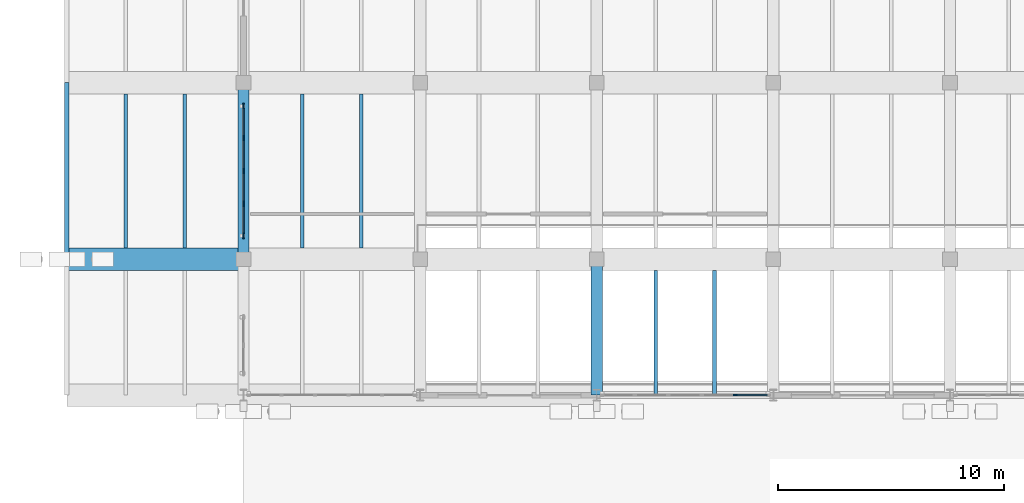
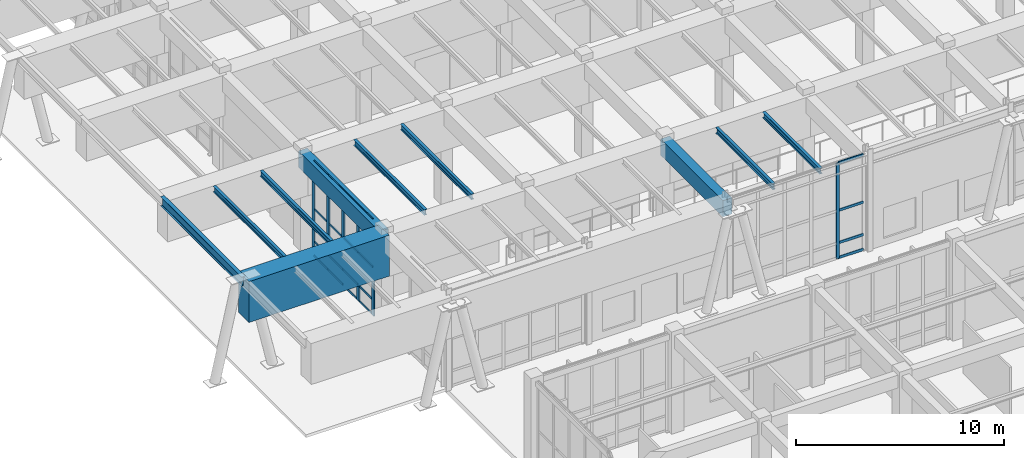
# One storey, part 21 of 110: 26 members, 10 beams, 2 elements without a shape of their own.
"""IFC4 building model written with IfcOpenShell, lengths in metres."""

import ifcopenshell
import ifcopenshell.guid

model = None  # the IFC model being written
_history = None  # IfcOwnerHistory: only IFC2X3 demands one
_inside = {}  # id of a spatial element -> (the spatial element, [elements in it])
_under = {}  # id of a project, library or spatial element -> (it, [spatial elements below it])
_declared = {}  # id of a project -> (the project, [libraries it declares])
_typed = {}  # id of a type object -> (the type object, [elements of that type])
_made_of = {}  # id of a material, layer set ... -> (it, [elements and type objects made of it])


def new_model(schema):
    """Start an empty IFC model of exactly this schema.

    Asked for "IFC4X3", IfcOpenShell would pick the latest addendum, in which some entities
    have other attributes; the version numbers below select the first issue.
    IFC2X3 requires an IfcOwnerHistory on every rooted entity: one is made here for all.
    """
    global model, _history
    if schema == "IFC4X3":
        model = ifcopenshell.file(schema_version=(4, 3, 0, 0))
    else:
        model = ifcopenshell.file(schema=schema)
    _inside.clear()
    _under.clear()
    _declared.clear()
    _typed.clear()
    _made_of.clear()
    _history = None
    if model.schema == "IFC2X3":
        org = make("IfcOrganization", Name="unknown")
        user = make(
            "IfcPersonAndOrganization",
            ThePerson=make("IfcPerson", FamilyName="unknown"),
            TheOrganization=org,
        )
        app = make(
            "IfcApplication",
            ApplicationDeveloper=org,
            Version="unknown",
            ApplicationFullName="unknown",
            ApplicationIdentifier="unknown",
        )
        _history = make(
            "IfcOwnerHistory",
            OwningUser=user,
            OwningApplication=app,
            ChangeAction="ADDED",
            CreationDate=0,
        )
    return model


def make(cls, **values):
    """One entity of the class cls with the attributes given. An attribute that is None is left unset."""
    return model.create_entity(
        cls, **{name: value for name, value in values.items() if value is not None}
    )


def rooted(cls, **values):
    """An entity with a GlobalId (a new one), such as an element, a storey or a relation."""
    return make(cls, GlobalId=ifcopenshell.guid.new(), OwnerHistory=_history, **values)


def si_unit(unit_type, name, prefix=None):
    """IfcSIUnit, for example si_unit("LENGTHUNIT", "METRE", prefix="MILLI")."""
    return make("IfcSIUnit", UnitType=unit_type, Prefix=prefix, Name=name)


def assignment(units):
    """IfcUnitAssignment: the units of a project."""
    return None if units is None else make("IfcUnitAssignment", Units=units)


def point(xyz):
    """IfcCartesianPoint."""
    return None if xyz is None else make("IfcCartesianPoint", Coordinates=xyz)


def direction(xyz):
    """IfcDirection."""
    return None if xyz is None else make("IfcDirection", DirectionRatios=xyz)


def frame(location, z_axis=None, x_axis=None):
    """IfcAxis2Placement3D, a coordinate frame: its origin and axes. An axis left out is left unset."""
    return make(
        "IfcAxis2Placement3D",
        Location=point(location),
        Axis=direction(z_axis),
        RefDirection=direction(x_axis),
    )


def frame_2d(location, x_axis=None):
    """IfcAxis2Placement2D, a coordinate frame in the plane: its origin and x axis."""
    return make(
        "IfcAxis2Placement2D", Location=point(location), RefDirection=direction(x_axis)
    )


def origin():
    """The frame at (0, 0, 0) with its axes left unset."""
    return frame((0.0, 0.0, 0.0))


def origin_2d():
    """The frame at (0, 0) in the plane with its x axis left unset."""
    return frame_2d((0.0, 0.0))


def place(relative_to, where):
    """IfcLocalPlacement: puts the frame where relative to a parent placement (None: the world)."""
    return make(
        "IfcLocalPlacement", PlacementRelTo=relative_to, RelativePlacement=where
    )


def context(
    kind, dimensions, precision=None, world=None, true_north=None, identifier=None
):
    """IfcGeometricRepresentationContext, for example the 3D "Model" context."""
    return make(
        "IfcGeometricRepresentationContext",
        ContextIdentifier=identifier,
        ContextType=kind,
        CoordinateSpaceDimension=dimensions,
        Precision=precision,
        WorldCoordinateSystem=world,
        TrueNorth=true_north,
    )


def subcontext(parent, identifier, kind, view, scale=None):
    """IfcGeometricRepresentationSubContext, for example "Body" below "Model"."""
    return make(
        "IfcGeometricRepresentationSubContext",
        ContextIdentifier=identifier,
        ContextType=kind,
        ParentContext=parent,
        TargetScale=scale,
        TargetView=view,
    )


def project(units=None, contexts=None):
    """IfcProject with its units and contexts."""
    return rooted(
        "IfcProject",
        Name="project",
        RepresentationContexts=contexts,
        UnitsInContext=assignment(units),
    )


def spatial(cls, under=None, at=None, **own):
    """A site, building, storey or space (cls), placed at a placement, below another one or the project."""
    s = rooted(cls, ObjectPlacement=at, **own)
    if under is not None:
        _under.setdefault(under.id(), (under, []))[1].append(s)
    return s


def profile(cls, at=None, kind="AREA", **sizes):
    """A parametric profile (cls). Its sizes go by their IFC names, for example OverallWidth=200.0."""
    return make(cls, ProfileType=kind, Position=at, **sizes)


def rectangle(**sizes):
    """IfcRectangleProfileDef."""
    return profile("IfcRectangleProfileDef", **sizes)


def i_section(**sizes):
    """IfcIShapeProfileDef."""
    return profile("IfcIShapeProfileDef", **sizes)


def extrude(swept, where, along, depth):
    """IfcExtrudedAreaSolid: the profile swept, set in the frame where, extruded along a direction by depth."""
    return make(
        "IfcExtrudedAreaSolid",
        SweptArea=swept,
        Position=where,
        ExtrudedDirection=direction(along),
        Depth=depth,
    )


def shape(context_of_items, identifier, shape_type, items):
    """IfcShapeRepresentation: the items that make up one representation, for example the "Body"."""
    return make(
        "IfcShapeRepresentation",
        ContextOfItems=context_of_items,
        RepresentationIdentifier=identifier,
        RepresentationType=shape_type,
        Items=items,
    )


def material(Name=None, Category=None):
    """IfcMaterial."""
    return make("IfcMaterial", Name=Name, Category=Category)


def material_profile(
    of_material, cross_section, Name=None, Category=None, Priority=None
):
    """IfcMaterialProfile: a cross section and its material."""
    return make(
        "IfcMaterialProfile",
        Name=Name,
        Material=of_material,
        Profile=cross_section,
        Priority=Priority,
        Category=Category,
    )


def profile_set(profiles, Name=None, composite=None):
    """IfcMaterialProfileSet."""
    return make(
        "IfcMaterialProfileSet",
        Name=Name,
        MaterialProfiles=profiles,
        CompositeProfile=composite,
    )


def made_of(thing, what):
    """Note that an element or type object is made of a material, layer set ...; save() writes the relation."""
    if what is not None:
        _made_of.setdefault(what.id(), (what, []))[1].append(thing)
    return thing


def type_object(cls, material=None, **own):
    """A type object (cls), such as IfcWallType, which elements share."""
    return made_of(rooted(cls, **own), material)


def element(
    cls,
    number,
    at=None,
    inside=None,
    cuts=None,
    type_object=None,
    material=None,
    context=None,
    identifier="Body",
    shape_type=None,
    held_by="IfcProductDefinitionShape",
    body=None,
    shapes=None,
    **own,
):
    """One element of the class cls, such as IfcWall. Its Tag is "e" and its number.

    at: its placement. inside: the storey or other place that contains it. cuts: it is an
    opening in that element (IfcRelVoidsElement). A single representation is given by context,
    identifier, shape_type and body (its items); several are given by shapes. held_by: the class
    of the entity that holds the representations. save() writes the other relations.
    """
    e = rooted(cls, Tag="e%d" % number, ObjectPlacement=at, **own)
    if body is not None:
        shapes = [shape(context, identifier, shape_type, body)]
    if shapes is not None:
        e.Representation = make(held_by, Representations=shapes)
    if inside is not None:
        _inside.setdefault(inside.id(), (inside, []))[1].append(e)
    if cuts is not None:
        rooted(
            "IfcRelVoidsElement", RelatingBuildingElement=cuts, RelatedOpeningElement=e
        )
    if type_object is not None:
        _typed.setdefault(type_object.id(), (type_object, []))[1].append(e)
    return made_of(e, material)


def aggregate(whole, parts):
    """IfcRelAggregates: a whole, such as a stair, and the parts it consists of."""
    return rooted("IfcRelAggregates", RelatingObject=whole, RelatedObjects=parts)


def save(model, path):
    """Write the relations noted so far, then the file.

    IfcRelAggregates (storeys below a building ...), IfcRelContainedInSpatialStructure (elements
    in a storey), IfcRelDefinesByType, IfcRelAssociatesMaterial and IfcRelDeclares: one each for
    every whole, place, type object, material and project.
    """
    for whole, parts in _under.values():
        aggregate(whole, parts)
    for where, things in _inside.values():
        rooted(
            "IfcRelContainedInSpatialStructure",
            RelatedElements=things,
            RelatingStructure=where,
        )
    for kind, things in _typed.values():
        rooted("IfcRelDefinesByType", RelatedObjects=things, RelatingType=kind)
    for what, things in _made_of.values():
        rooted("IfcRelAssociatesMaterial", RelatedObjects=things, RelatingMaterial=what)
    for by, libraries in _declared.values():
        rooted("IfcRelDeclares", RelatingContext=by, RelatedDefinitions=libraries)
    model.write(path)


model = new_model("IFC4")

# Units and contexts
model_context = context("Model", 3, precision=1e-05, world=origin(), true_north=direction((0.0, 1.0)))
body_context = subcontext(model_context, "Body", "Model", "MODEL_VIEW")
ifc_project = project(units=[si_unit("LENGTHUNIT", "METRE"), si_unit("AREAUNIT", "SQUARE_METRE"), si_unit("VOLUMEUNIT", "CUBIC_METRE"), si_unit("PLANEANGLEUNIT", "RADIAN"), si_unit("MASSUNIT", "GRAM", prefix="KILO")], contexts=[model_context])

# Site, building, storey
site_placement = place(None, origin())
site = spatial("IfcSite", under=ifc_project, at=site_placement, CompositionType="ELEMENT")
building_placement = place(site_placement, origin())
building = spatial("IfcBuilding", under=site, at=building_placement, Name="Tizgana Railside Sports Hall", CompositionType="ELEMENT")
storey_placement = place(building_placement, origin())
storey = spatial("IfcBuildingStorey", under=building, at=storey_placement, Name="L00", CompositionType="ELEMENT", Elevation=0.0)

# Beams
ifc_material_1 = material(Name="Concrete C40/50", Category="concrete")
ifc_material_profile_1 = material_profile(ifc_material_1, rectangle(XDim=0.5, YDim=0.949951171875, at=origin_2d()), Name="RCB 500x950")
ifc_profile_set_1 = profile_set([ifc_material_profile_1], Name="Concrete C40/50")
beam_type_1 = type_object("IfcBeamType", Name="Concrete Beam RCB 500x950", PredefinedType="BEAM", material=ifc_profile_set_1)
beam_1_placement = place(storey_placement, frame((7.800048828125, 46.800048828125, 5.180908203125), z_axis=(0.0, 1.0, 0.0), x_axis=(-1.0, 0.0, 0.0)))
element("IfcBeam", 1, at=beam_1_placement, inside=storey, type_object=beam_type_1, Name="L00 BEM-0139", PredefinedType="BEAM", context=body_context, shape_type="SweptSolid", body=[
    extrude(rectangle(XDim=0.5, YDim=0.949951171875, at=origin_2d()), origin(), (0.0, 0.0, 1.0), 7.800048828125),
])
beam_2_placement = place(storey_placement, frame((23.39990234375, 40.800048828125, 5.160888671875), z_axis=(0.0, 1.0, 0.0), x_axis=(-1.0, 0.0, 0.0)))
element("IfcBeam", 2, at=beam_2_placement, inside=storey, type_object=beam_type_1, Name="L00 BEM-0149", PredefinedType="BEAM", context=body_context, shape_type="SweptSolid", body=[
    extrude(rectangle(XDim=0.5, YDim=0.949951171875, at=origin_2d()), origin(), (0.0, 0.0, 1.0), 6.0),
])

# Curtain wall, member
ifc_material_2 = material(Name="Anodised aluminium and glass", Category="aluminium")
curtain_wall_type_1 = type_object("IfcCurtainWallType", Name="Unitised Curtain Wall Studio 1400", PredefinedType="NOTDEFINED", material=ifc_material_2)
curtain_wall_1_placement = place(storey_placement, origin())
curtain_wall_1 = element("IfcCurtainWall", 3, at=curtain_wall_1_placement, inside=storey, type_object=curtain_wall_type_1, Name="L00 Curtain Wall CW-0002", PredefinedType="NOTDEFINED")
ifc_material_3 = material(Name="Anodised aluminium", Category="aluminium")
ifc_material_profile_2 = material_profile(ifc_material_3, rectangle(XDim=0.06005859375, YDim=0.179931640625, at=origin_2d()), Name="Mullion 60x180")
ifc_profile_set_2 = profile_set([ifc_material_profile_2], Name="Anodised aluminium")
member_type_1 = type_object("IfcMemberType", Name="Mullion 60x180", PredefinedType="MULLION", material=ifc_profile_set_2)
member_1_placement = place(storey_placement, frame((29.51708984375, 40.800048828125, 0.044921875), z_axis=(0.0, 0.0, 1.0), x_axis=(0.0, -1.0, 0.0)))
member_1 = element("IfcMember", 4, at=member_1_placement, type_object=member_type_1, Name="CW-03 mullion 2", PredefinedType="MULLION", context=body_context, shape_type="SweptSolid", body=[
    extrude(rectangle(XDim=0.06005859375, YDim=0.179931640625, at=origin_2d()), origin(), (0.0, 0.0, 1.0), 5.60498046875),
])

# Curtain wall, members
curtain_wall_type_2 = type_object("IfcCurtainWallType", Name="Unitised Curtain Wall Passage 1800", PredefinedType="NOTDEFINED", material=ifc_material_2)
curtain_wall_2_placement = place(storey_placement, origin())
curtain_wall_2 = element("IfcCurtainWall", 5, at=curtain_wall_2_placement, inside=storey, type_object=curtain_wall_type_2, Name="L00 Curtain Wall CW-0005", PredefinedType="NOTDEFINED")
ifc_material_profile_3 = material_profile(ifc_material_3, rectangle(XDim=0.074951171875, YDim=0.25, at=origin_2d()), Name="Mullion 75x250")
ifc_profile_set_3 = profile_set([ifc_material_profile_3], Name="Anodised aluminium")
member_type_2 = type_object("IfcMemberType", Name="Mullion 75x250", PredefinedType="MULLION", material=ifc_profile_set_3)
member_2_placement = place(storey_placement, frame((7.800048828125, 53.5625, 0.044921875), z_axis=(0.0, 0.0, 1.0), x_axis=(1.0, 0.0, 0.0)))
member_2 = element("IfcMember", 6, at=member_2_placement, type_object=member_type_2, Name="CW-06 mullion 1", PredefinedType="MULLION", context=body_context, shape_type="SweptSolid", body=[
    extrude(rectangle(XDim=0.074951171875, YDim=0.25, at=origin_2d()), origin(), (0.0, 0.0, 1.0), 5.60498046875),
])
member_3_placement = place(storey_placement, frame((7.800048828125, 52.14990234375, 0.044921875), z_axis=(0.0, 0.0, 1.0), x_axis=(1.0, 0.0, 0.0)))
member_3 = element("IfcMember", 7, at=member_3_placement, type_object=member_type_2, Name="CW-06 mullion 2", PredefinedType="MULLION", context=body_context, shape_type="SweptSolid", body=[
    extrude(rectangle(XDim=0.074951171875, YDim=0.25, at=origin_2d()), origin(), (0.0, 0.0, 1.0), 5.60498046875),
])
member_4_placement = place(storey_placement, frame((7.800048828125, 50.699951171875, 0.044921875), z_axis=(0.0, 0.0, 1.0), x_axis=(1.0, 0.0, 0.0)))
member_4 = element("IfcMember", 8, at=member_4_placement, type_object=member_type_2, Name="CW-06 mullion 3", PredefinedType="MULLION", context=body_context, shape_type="SweptSolid", body=[
    extrude(rectangle(XDim=0.074951171875, YDim=0.25, at=origin_2d()), origin(), (0.0, 0.0, 1.0), 5.60498046875),
])
member_5_placement = place(storey_placement, frame((7.800048828125, 49.25, 0.044921875), z_axis=(0.0, 0.0, 1.0), x_axis=(1.0, 0.0, 0.0)))
member_5 = element("IfcMember", 9, at=member_5_placement, type_object=member_type_2, Name="CW-06 mullion 4", PredefinedType="MULLION", context=body_context, shape_type="SweptSolid", body=[
    extrude(rectangle(XDim=0.074951171875, YDim=0.25, at=origin_2d()), origin(), (0.0, 0.0, 1.0), 5.60498046875),
])
member_6_placement = place(storey_placement, frame((7.800048828125, 47.83740234375, 0.044921875), z_axis=(0.0, 0.0, 1.0), x_axis=(1.0, 0.0, 0.0)))
member_6 = element("IfcMember", 10, at=member_6_placement, type_object=member_type_2, Name="CW-06 mullion 5", PredefinedType="MULLION", context=body_context, shape_type="SweptSolid", body=[
    extrude(rectangle(XDim=0.074951171875, YDim=0.25, at=origin_2d()), origin(), (0.0, 0.0, 1.0), 5.60498046875),
])

# Beams
ifc_material_profile_4 = material_profile(ifc_material_1, rectangle(XDim=1.0, YDim=2.39990234375, at=origin_2d()), Name="PTG 1000x2400")
ifc_profile_set_4 = profile_set([ifc_material_profile_4], Name="Concrete C40/50")
beam_type_2 = type_object("IfcBeamType", Name="Post-Tensioned Girder PTG 1000x2400", PredefinedType="BEAM", material=ifc_profile_set_4)
beam_3_placement = place(storey_placement, frame((0.0, 46.800048828125, 4.4560546875), z_axis=(1.0, 0.0, 0.0), x_axis=(0.0, 1.0, 0.0)))
element("IfcBeam", 11, at=beam_3_placement, inside=storey, type_object=beam_type_2, Name="L00 PTG-0003", PredefinedType="BEAM", context=body_context, shape_type="SweptSolid", body=[
    extrude(rectangle(XDim=1.0, YDim=2.39990234375, at=origin_2d()), origin(), (0.0, 0.0, 1.0), 7.800048828125),
])
ifc_material_4 = material(Name="Steel S355J2", Category="steel")
ifc_material_profile_5 = material_profile(ifc_material_4, i_section(OverallWidth=0.2099609375, OverallDepth=0.550048828125, WebThickness=0.010986328125, FlangeThickness=0.01708984375, FilletRadius=0.02392578125, at=origin_2d()), Name="IPE 550")
ifc_profile_set_5 = profile_set([ifc_material_profile_5], Name="Steel S355J2")
beam_type_3 = type_object("IfcBeamType", Name="Steel Beam IPE 550", PredefinedType="BEAM", material=ifc_profile_set_5)
beam_4_placement = place(storey_placement, frame((0.0, 46.800048828125, 5.381103515625), z_axis=(0.0, 1.0, 0.0), x_axis=(-1.0, 0.0, 0.0)))
element("IfcBeam", 12, at=beam_4_placement, inside=storey, type_object=beam_type_3, Name="L00 BEM-0134", PredefinedType="BEAM", context=body_context, shape_type="SweptSolid", body=[
    extrude(i_section(OverallWidth=0.2099609375, OverallDepth=0.550048828125, WebThickness=0.010986328125, FlangeThickness=0.01708984375, FilletRadius=0.02392578125, at=origin_2d()), origin(), (0.0, 0.0, 1.0), 7.800048828125),
])
ifc_material_profile_6 = material_profile(ifc_material_4, i_section(OverallWidth=0.159912109375, OverallDepth=0.330078125, WebThickness=0.007568359375, FlangeThickness=0.011474609375, FilletRadius=0.01806640625, at=origin_2d()), Name="IPE 330")
ifc_profile_set_6 = profile_set([ifc_material_profile_6], Name="Steel S355J2")
beam_type_4 = type_object("IfcBeamType", Name="Steel Joist IPE 330", PredefinedType="JOIST", material=ifc_profile_set_6)
for number, where, z_axis, x_axis, name in (
    (13, (2.60009765625, 47.294921875, 5.490966796875), (0.0, 1.0, 0.0), (-1.0, 0.0, 0.0), "L00 BEM-0179"),
    (14, (5.199951171875, 47.294921875, 5.490966796875), (0.0, 1.0, 0.0), (-1.0, 0.0, 0.0), "L00 BEM-0184"),
    (15, (10.39990234375, 47.294921875, 5.490966796875), (0.0, 1.0, 0.0), (-1.0, 0.0, 0.0), "L00 BEM-0189"),
    (16, (13.0, 47.294921875, 5.490966796875), (0.0, 1.0, 0.0), (-1.0, 0.0, 0.0), "L00 BEM-0194"),
):
    element("IfcBeam", number, at=place(storey_placement, frame(where, z_axis=z_axis, x_axis=x_axis)), inside=storey, type_object=beam_type_4, Name=name, PredefinedType="JOIST", context=body_context, shape_type="SweptSolid", body=[
        extrude(i_section(OverallWidth=0.159912109375, OverallDepth=0.330078125, WebThickness=0.007568359375, FlangeThickness=0.011474609375, FilletRadius=0.01806640625, at=origin_2d()), origin(), (0.0, 0.0, 1.0), 6.81005859375),
    ])
for number, where, z_axis, x_axis, name in (
    (17, (26.0, 40.800048828125, 5.470947265625), (0.0, 1.0, 0.0), (-1.0, 0.0, 0.0), "L00 BEM-0208"),
    (18, (28.60009765625, 40.800048828125, 5.470947265625), (0.0, 1.0, 0.0), (-1.0, 0.0, 0.0), "L00 BEM-0213"),
):
    element("IfcBeam", number, at=place(storey_placement, frame(where, z_axis=z_axis, x_axis=x_axis)), inside=storey, type_object=beam_type_4, Name=name, PredefinedType="JOIST", context=body_context, shape_type="SweptSolid", body=[
        extrude(i_section(OverallWidth=0.159912109375, OverallDepth=0.330078125, WebThickness=0.007568359375, FlangeThickness=0.011474609375, FilletRadius=0.01806640625, at=origin_2d()), origin(), (0.0, 0.0, 1.0), 5.5048828125),
    ])

# Member
ifc_material_profile_7 = material_profile(ifc_material_3, rectangle(XDim=0.054931640625, YDim=0.1201171875, at=origin_2d()), Name="Transom 55x120")
ifc_profile_set_7 = profile_set([ifc_material_profile_7], Name="Anodised aluminium")
member_type_3 = type_object("IfcMemberType", Name="Transom 55x120", PredefinedType="USERDEFINED", material=ifc_profile_set_7)
member_7_placement = place(storey_placement, frame((7.800048828125, 53.52490234375, 0.072509765625), z_axis=(0.0, -1.0, 0.0), x_axis=(1.0, 0.0, 0.0)))
member_7 = element("IfcMember", 19, at=member_7_placement, type_object=member_type_3, Name="CW-06 transom 1.1", ObjectType="TRANSOM", PredefinedType="USERDEFINED", context=body_context, shape_type="SweptSolid", body=[
    extrude(rectangle(XDim=0.054931640625, YDim=0.1201171875, at=origin_2d()), origin(), (0.0, 0.0, 1.0), 1.33740234375),
])

member_8_placement = place(storey_placement, frame((7.800048828125, 53.52490234375, 0.945068359375), z_axis=(0.0, -1.0, 0.0), x_axis=(1.0, 0.0, 0.0)))
member_8 = element("IfcMember", 20, at=member_8_placement, type_object=member_type_3, Name="CW-06 transom 1.2", ObjectType="TRANSOM", PredefinedType="USERDEFINED", context=body_context, shape_type="SweptSolid", body=[
    extrude(rectangle(XDim=0.054931640625, YDim=0.1201171875, at=origin_2d()), origin(), (0.0, 0.0, 1.0), 1.33740234375),
])

member_9_placement = place(storey_placement, frame((7.800048828125, 53.52490234375, 2.847412109375), z_axis=(0.0, -1.0, 0.0), x_axis=(1.0, 0.0, 0.0)))
member_9 = element("IfcMember", 21, at=member_9_placement, type_object=member_type_3, Name="CW-06 transom 1.3", ObjectType="TRANSOM", PredefinedType="USERDEFINED", context=body_context, shape_type="SweptSolid", body=[
    extrude(rectangle(XDim=0.054931640625, YDim=0.1201171875, at=origin_2d()), origin(), (0.0, 0.0, 1.0), 1.33740234375),
])

member_10_placement = place(storey_placement, frame((7.800048828125, 53.52490234375, 5.62255859375), z_axis=(0.0, -1.0, 0.0), x_axis=(1.0, 0.0, 0.0)))
member_10 = element("IfcMember", 22, at=member_10_placement, type_object=member_type_3, Name="CW-06 transom 1.4", ObjectType="TRANSOM", PredefinedType="USERDEFINED", context=body_context, shape_type="SweptSolid", body=[
    extrude(rectangle(XDim=0.054931640625, YDim=0.1201171875, at=origin_2d()), origin(), (0.0, 0.0, 1.0), 1.33740234375),
])

member_11_placement = place(storey_placement, frame((7.800048828125, 52.112548828125, 0.072509765625), z_axis=(0.0, -1.0, 0.0), x_axis=(1.0, 0.0, 0.0)))
member_11 = element("IfcMember", 23, at=member_11_placement, type_object=member_type_3, Name="CW-06 transom 2.1", ObjectType="TRANSOM", PredefinedType="USERDEFINED", context=body_context, shape_type="SweptSolid", body=[
    extrude(rectangle(XDim=0.054931640625, YDim=0.1201171875, at=origin_2d()), origin(), (0.0, 0.0, 1.0), 1.375),
])

member_12_placement = place(storey_placement, frame((7.800048828125, 52.112548828125, 0.945068359375), z_axis=(0.0, -1.0, 0.0), x_axis=(1.0, 0.0, 0.0)))
member_12 = element("IfcMember", 24, at=member_12_placement, type_object=member_type_3, Name="CW-06 transom 2.2", ObjectType="TRANSOM", PredefinedType="USERDEFINED", context=body_context, shape_type="SweptSolid", body=[
    extrude(rectangle(XDim=0.054931640625, YDim=0.1201171875, at=origin_2d()), origin(), (0.0, 0.0, 1.0), 1.375),
])

member_13_placement = place(storey_placement, frame((7.800048828125, 52.112548828125, 2.847412109375), z_axis=(0.0, -1.0, 0.0), x_axis=(1.0, 0.0, 0.0)))
member_13 = element("IfcMember", 25, at=member_13_placement, type_object=member_type_3, Name="CW-06 transom 2.3", ObjectType="TRANSOM", PredefinedType="USERDEFINED", context=body_context, shape_type="SweptSolid", body=[
    extrude(rectangle(XDim=0.054931640625, YDim=0.1201171875, at=origin_2d()), origin(), (0.0, 0.0, 1.0), 1.375),
])

member_14_placement = place(storey_placement, frame((7.800048828125, 52.112548828125, 5.62255859375), z_axis=(0.0, -1.0, 0.0), x_axis=(1.0, 0.0, 0.0)))
member_14 = element("IfcMember", 26, at=member_14_placement, type_object=member_type_3, Name="CW-06 transom 2.4", ObjectType="TRANSOM", PredefinedType="USERDEFINED", context=body_context, shape_type="SweptSolid", body=[
    extrude(rectangle(XDim=0.054931640625, YDim=0.1201171875, at=origin_2d()), origin(), (0.0, 0.0, 1.0), 1.375),
])

member_15_placement = place(storey_placement, frame((7.800048828125, 50.66259765625, 0.072509765625), z_axis=(0.0, -1.0, 0.0), x_axis=(1.0, 0.0, 0.0)))
member_15 = element("IfcMember", 27, at=member_15_placement, type_object=member_type_3, Name="CW-06 transom 3.1", ObjectType="TRANSOM", PredefinedType="USERDEFINED", context=body_context, shape_type="SweptSolid", body=[
    extrude(rectangle(XDim=0.054931640625, YDim=0.1201171875, at=origin_2d()), origin(), (0.0, 0.0, 1.0), 1.375),
])

member_16_placement = place(storey_placement, frame((7.800048828125, 50.66259765625, 0.945068359375), z_axis=(0.0, -1.0, 0.0), x_axis=(1.0, 0.0, 0.0)))
member_16 = element("IfcMember", 28, at=member_16_placement, type_object=member_type_3, Name="CW-06 transom 3.2", ObjectType="TRANSOM", PredefinedType="USERDEFINED", context=body_context, shape_type="SweptSolid", body=[
    extrude(rectangle(XDim=0.054931640625, YDim=0.1201171875, at=origin_2d()), origin(), (0.0, 0.0, 1.0), 1.375),
])

member_17_placement = place(storey_placement, frame((7.800048828125, 50.66259765625, 2.847412109375), z_axis=(0.0, -1.0, 0.0), x_axis=(1.0, 0.0, 0.0)))
member_17 = element("IfcMember", 29, at=member_17_placement, type_object=member_type_3, Name="CW-06 transom 3.3", ObjectType="TRANSOM", PredefinedType="USERDEFINED", context=body_context, shape_type="SweptSolid", body=[
    extrude(rectangle(XDim=0.054931640625, YDim=0.1201171875, at=origin_2d()), origin(), (0.0, 0.0, 1.0), 1.375),
])

member_18_placement = place(storey_placement, frame((7.800048828125, 50.66259765625, 5.62255859375), z_axis=(0.0, -1.0, 0.0), x_axis=(1.0, 0.0, 0.0)))
member_18 = element("IfcMember", 30, at=member_18_placement, type_object=member_type_3, Name="CW-06 transom 3.4", ObjectType="TRANSOM", PredefinedType="USERDEFINED", context=body_context, shape_type="SweptSolid", body=[
    extrude(rectangle(XDim=0.054931640625, YDim=0.1201171875, at=origin_2d()), origin(), (0.0, 0.0, 1.0), 1.375),
])

member_19_placement = place(storey_placement, frame((7.800048828125, 49.21240234375, 0.072509765625), z_axis=(0.0, -1.0, 0.0), x_axis=(1.0, 0.0, 0.0)))
member_19 = element("IfcMember", 31, at=member_19_placement, type_object=member_type_3, Name="CW-06 transom 4.1", ObjectType="TRANSOM", PredefinedType="USERDEFINED", context=body_context, shape_type="SweptSolid", body=[
    extrude(rectangle(XDim=0.054931640625, YDim=0.1201171875, at=origin_2d()), origin(), (0.0, 0.0, 1.0), 1.33740234375),
])

member_20_placement = place(storey_placement, frame((7.800048828125, 49.21240234375, 0.945068359375), z_axis=(0.0, -1.0, 0.0), x_axis=(1.0, 0.0, 0.0)))
member_20 = element("IfcMember", 32, at=member_20_placement, type_object=member_type_3, Name="CW-06 transom 4.2", ObjectType="TRANSOM", PredefinedType="USERDEFINED", context=body_context, shape_type="SweptSolid", body=[
    extrude(rectangle(XDim=0.054931640625, YDim=0.1201171875, at=origin_2d()), origin(), (0.0, 0.0, 1.0), 1.33740234375),
])

member_21_placement = place(storey_placement, frame((7.800048828125, 49.21240234375, 2.847412109375), z_axis=(0.0, -1.0, 0.0), x_axis=(1.0, 0.0, 0.0)))
member_21 = element("IfcMember", 33, at=member_21_placement, type_object=member_type_3, Name="CW-06 transom 4.3", ObjectType="TRANSOM", PredefinedType="USERDEFINED", context=body_context, shape_type="SweptSolid", body=[
    extrude(rectangle(XDim=0.054931640625, YDim=0.1201171875, at=origin_2d()), origin(), (0.0, 0.0, 1.0), 1.33740234375),
])

member_22_placement = place(storey_placement, frame((7.800048828125, 49.21240234375, 5.62255859375), z_axis=(0.0, -1.0, 0.0), x_axis=(1.0, 0.0, 0.0)))
member_22 = element("IfcMember", 34, at=member_22_placement, type_object=member_type_3, Name="CW-06 transom 4.4", ObjectType="TRANSOM", PredefinedType="USERDEFINED", context=body_context, shape_type="SweptSolid", body=[
    extrude(rectangle(XDim=0.054931640625, YDim=0.1201171875, at=origin_2d()), origin(), (0.0, 0.0, 1.0), 1.33740234375),
])

aggregate(curtain_wall_2, [member_2, member_3, member_4, member_5, member_6, member_7, member_8, member_9, member_10, member_11, member_12, member_13, member_14, member_15, member_16, member_17, member_18, member_19, member_20, member_21, member_22])

ifc_material_profile_8 = material_profile(ifc_material_3, rectangle(XDim=0.06005859375, YDim=0.14990234375, at=origin_2d()), Name="Transom 60x150")
ifc_profile_set_8 = profile_set([ifc_material_profile_8], Name="Anodised aluminium")
member_type_4 = type_object("IfcMemberType", Name="Transom 60x150", PredefinedType="USERDEFINED", material=ifc_profile_set_8)
member_23_placement = place(storey_placement, frame((30.93505859375, 40.800048828125, 0.074951171875), z_axis=(-1.0, 0.0, 0.0), x_axis=(0.0, -1.0, 0.0)))
member_23 = element("IfcMember", 35, at=member_23_placement, type_object=member_type_4, Name="CW-03 transom 1.1", ObjectType="TRANSOM", PredefinedType="USERDEFINED", context=body_context, shape_type="SweptSolid", body=[
    extrude(rectangle(XDim=0.06005859375, YDim=0.14990234375, at=origin_2d()), origin(), (0.0, 0.0, 1.0), 1.387939453125),
])

member_24_placement = place(storey_placement, frame((30.93505859375, 40.800048828125, 0.945068359375), z_axis=(-1.0, 0.0, 0.0), x_axis=(0.0, -1.0, 0.0)))
member_24 = element("IfcMember", 36, at=member_24_placement, type_object=member_type_4, Name="CW-03 transom 1.2", ObjectType="TRANSOM", PredefinedType="USERDEFINED", context=body_context, shape_type="SweptSolid", body=[
    extrude(rectangle(XDim=0.06005859375, YDim=0.14990234375, at=origin_2d()), origin(), (0.0, 0.0, 1.0), 1.387939453125),
])

member_25_placement = place(storey_placement, frame((30.93505859375, 40.800048828125, 2.847412109375), z_axis=(-1.0, 0.0, 0.0), x_axis=(0.0, -1.0, 0.0)))
member_25 = element("IfcMember", 37, at=member_25_placement, type_object=member_type_4, Name="CW-03 transom 1.3", ObjectType="TRANSOM", PredefinedType="USERDEFINED", context=body_context, shape_type="SweptSolid", body=[
    extrude(rectangle(XDim=0.06005859375, YDim=0.14990234375, at=origin_2d()), origin(), (0.0, 0.0, 1.0), 1.387939453125),
])

member_26_placement = place(storey_placement, frame((30.93505859375, 40.800048828125, 5.6201171875), z_axis=(-1.0, 0.0, 0.0), x_axis=(0.0, -1.0, 0.0)))
member_26 = element("IfcMember", 38, at=member_26_placement, type_object=member_type_4, Name="CW-03 transom 1.4", ObjectType="TRANSOM", PredefinedType="USERDEFINED", context=body_context, shape_type="SweptSolid", body=[
    extrude(rectangle(XDim=0.06005859375, YDim=0.14990234375, at=origin_2d()), origin(), (0.0, 0.0, 1.0), 1.387939453125),
])

aggregate(curtain_wall_1, [member_1, member_23, member_24, member_25, member_26])

save(model, "model.ifc")
